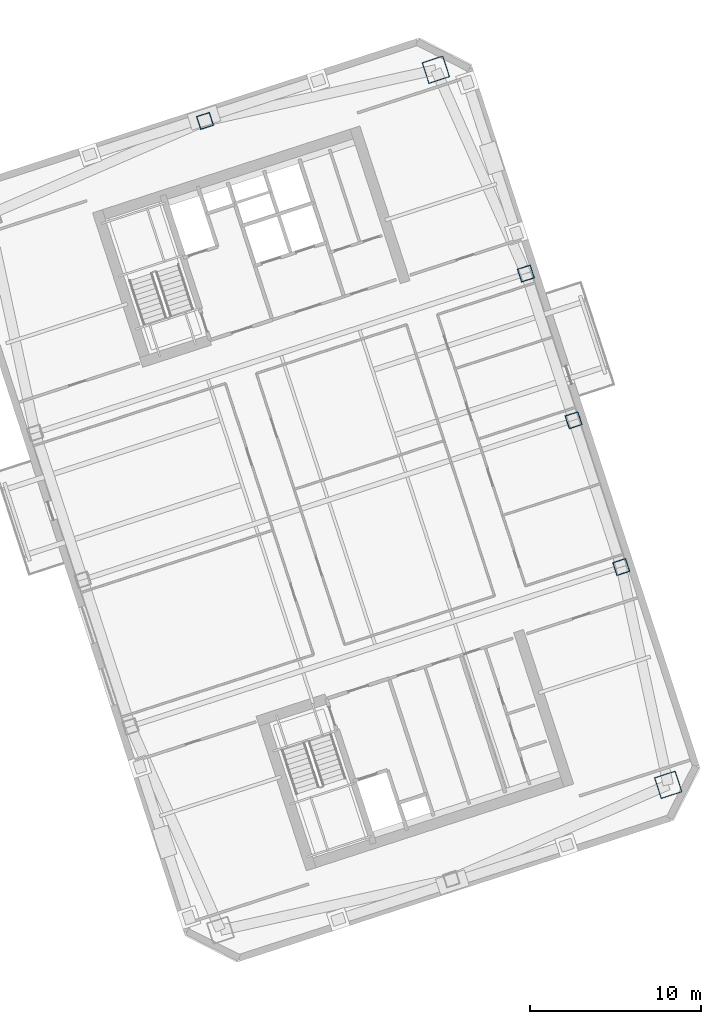
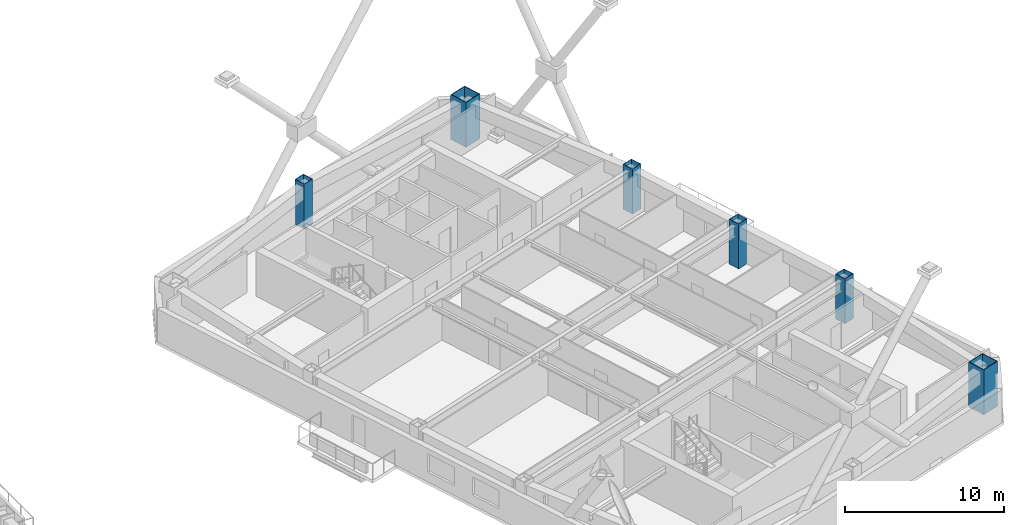
# One storey, part 2 of 17: 6 columns.
"""IFC4 building model written with IfcOpenShell, lengths in metres."""

import ifcopenshell
import ifcopenshell.guid

model = None  # the IFC model being written
_history = None  # IfcOwnerHistory: only IFC2X3 demands one
_inside = {}  # id of a spatial element -> (the spatial element, [elements in it])
_under = {}  # id of a project, library or spatial element -> (it, [spatial elements below it])
_declared = {}  # id of a project -> (the project, [libraries it declares])
_typed = {}  # id of a type object -> (the type object, [elements of that type])
_made_of = {}  # id of a material, layer set ... -> (it, [elements and type objects made of it])


def new_model(schema):
    """Start an empty IFC model of exactly this schema.

    Asked for "IFC4X3", IfcOpenShell would pick the latest addendum, in which some entities
    have other attributes; the version numbers below select the first issue.
    IFC2X3 requires an IfcOwnerHistory on every rooted entity: one is made here for all.
    """
    global model, _history
    if schema == "IFC4X3":
        model = ifcopenshell.file(schema_version=(4, 3, 0, 0))
    else:
        model = ifcopenshell.file(schema=schema)
    _inside.clear()
    _under.clear()
    _declared.clear()
    _typed.clear()
    _made_of.clear()
    _history = None
    if model.schema == "IFC2X3":
        org = make("IfcOrganization", Name="unknown")
        user = make(
            "IfcPersonAndOrganization",
            ThePerson=make("IfcPerson", FamilyName="unknown"),
            TheOrganization=org,
        )
        app = make(
            "IfcApplication",
            ApplicationDeveloper=org,
            Version="unknown",
            ApplicationFullName="unknown",
            ApplicationIdentifier="unknown",
        )
        _history = make(
            "IfcOwnerHistory",
            OwningUser=user,
            OwningApplication=app,
            ChangeAction="ADDED",
            CreationDate=0,
        )
    return model


def make(cls, **values):
    """One entity of the class cls with the attributes given. An attribute that is None is left unset."""
    return model.create_entity(
        cls, **{name: value for name, value in values.items() if value is not None}
    )


def rooted(cls, **values):
    """An entity with a GlobalId (a new one), such as an element, a storey or a relation."""
    return make(cls, GlobalId=ifcopenshell.guid.new(), OwnerHistory=_history, **values)


def si_unit(unit_type, name, prefix=None):
    """IfcSIUnit, for example si_unit("LENGTHUNIT", "METRE", prefix="MILLI")."""
    return make("IfcSIUnit", UnitType=unit_type, Prefix=prefix, Name=name)


def assignment(units):
    """IfcUnitAssignment: the units of a project."""
    return None if units is None else make("IfcUnitAssignment", Units=units)


def point(xyz):
    """IfcCartesianPoint."""
    return None if xyz is None else make("IfcCartesianPoint", Coordinates=xyz)


def direction(xyz):
    """IfcDirection."""
    return None if xyz is None else make("IfcDirection", DirectionRatios=xyz)


def frame(location, z_axis=None, x_axis=None):
    """IfcAxis2Placement3D, a coordinate frame: its origin and axes. An axis left out is left unset."""
    return make(
        "IfcAxis2Placement3D",
        Location=point(location),
        Axis=direction(z_axis),
        RefDirection=direction(x_axis),
    )


def frame_2d(location, x_axis=None):
    """IfcAxis2Placement2D, a coordinate frame in the plane: its origin and x axis."""
    return make(
        "IfcAxis2Placement2D", Location=point(location), RefDirection=direction(x_axis)
    )


def origin():
    """The frame at (0, 0, 0) with its axes left unset."""
    return frame((0.0, 0.0, 0.0))


def origin_2d():
    """The frame at (0, 0) in the plane with its x axis left unset."""
    return frame_2d((0.0, 0.0))


def place(relative_to, where):
    """IfcLocalPlacement: puts the frame where relative to a parent placement (None: the world)."""
    return make(
        "IfcLocalPlacement", PlacementRelTo=relative_to, RelativePlacement=where
    )


def context(
    kind, dimensions, precision=None, world=None, true_north=None, identifier=None
):
    """IfcGeometricRepresentationContext, for example the 3D "Model" context."""
    return make(
        "IfcGeometricRepresentationContext",
        ContextIdentifier=identifier,
        ContextType=kind,
        CoordinateSpaceDimension=dimensions,
        Precision=precision,
        WorldCoordinateSystem=world,
        TrueNorth=true_north,
    )


def subcontext(parent, identifier, kind, view, scale=None):
    """IfcGeometricRepresentationSubContext, for example "Body" below "Model"."""
    return make(
        "IfcGeometricRepresentationSubContext",
        ContextIdentifier=identifier,
        ContextType=kind,
        ParentContext=parent,
        TargetScale=scale,
        TargetView=view,
    )


def project(units=None, contexts=None):
    """IfcProject with its units and contexts."""
    return rooted(
        "IfcProject",
        Name="project",
        RepresentationContexts=contexts,
        UnitsInContext=assignment(units),
    )


def spatial(cls, under=None, at=None, **own):
    """A site, building, storey or space (cls), placed at a placement, below another one or the project."""
    s = rooted(cls, ObjectPlacement=at, **own)
    if under is not None:
        _under.setdefault(under.id(), (under, []))[1].append(s)
    return s


def profile(cls, at=None, kind="AREA", **sizes):
    """A parametric profile (cls). Its sizes go by their IFC names, for example OverallWidth=200.0."""
    return make(cls, ProfileType=kind, Position=at, **sizes)


def hollow_rectangle(**sizes):
    """IfcRectangleHollowProfileDef."""
    return profile("IfcRectangleHollowProfileDef", **sizes)


def extrude(swept, where, along, depth):
    """IfcExtrudedAreaSolid: the profile swept, set in the frame where, extruded along a direction by depth."""
    return make(
        "IfcExtrudedAreaSolid",
        SweptArea=swept,
        Position=where,
        ExtrudedDirection=direction(along),
        Depth=depth,
    )


def shape(context_of_items, identifier, shape_type, items):
    """IfcShapeRepresentation: the items that make up one representation, for example the "Body"."""
    return make(
        "IfcShapeRepresentation",
        ContextOfItems=context_of_items,
        RepresentationIdentifier=identifier,
        RepresentationType=shape_type,
        Items=items,
    )


def material(Name=None, Category=None):
    """IfcMaterial."""
    return make("IfcMaterial", Name=Name, Category=Category)


def material_profile(
    of_material, cross_section, Name=None, Category=None, Priority=None
):
    """IfcMaterialProfile: a cross section and its material."""
    return make(
        "IfcMaterialProfile",
        Name=Name,
        Material=of_material,
        Profile=cross_section,
        Priority=Priority,
        Category=Category,
    )


def profile_set(profiles, Name=None, composite=None):
    """IfcMaterialProfileSet."""
    return make(
        "IfcMaterialProfileSet",
        Name=Name,
        MaterialProfiles=profiles,
        CompositeProfile=composite,
    )


def made_of(thing, what):
    """Note that an element or type object is made of a material, layer set ...; save() writes the relation."""
    if what is not None:
        _made_of.setdefault(what.id(), (what, []))[1].append(thing)
    return thing


def type_object(cls, material=None, **own):
    """A type object (cls), such as IfcWallType, which elements share."""
    return made_of(rooted(cls, **own), material)


def element(
    cls,
    number,
    at=None,
    inside=None,
    cuts=None,
    type_object=None,
    material=None,
    context=None,
    identifier="Body",
    shape_type=None,
    held_by="IfcProductDefinitionShape",
    body=None,
    shapes=None,
    **own,
):
    """One element of the class cls, such as IfcWall. Its Tag is "e" and its number.

    at: its placement. inside: the storey or other place that contains it. cuts: it is an
    opening in that element (IfcRelVoidsElement). A single representation is given by context,
    identifier, shape_type and body (its items); several are given by shapes. held_by: the class
    of the entity that holds the representations. save() writes the other relations.
    """
    e = rooted(cls, Tag="e%d" % number, ObjectPlacement=at, **own)
    if body is not None:
        shapes = [shape(context, identifier, shape_type, body)]
    if shapes is not None:
        e.Representation = make(held_by, Representations=shapes)
    if inside is not None:
        _inside.setdefault(inside.id(), (inside, []))[1].append(e)
    if cuts is not None:
        rooted(
            "IfcRelVoidsElement", RelatingBuildingElement=cuts, RelatedOpeningElement=e
        )
    if type_object is not None:
        _typed.setdefault(type_object.id(), (type_object, []))[1].append(e)
    return made_of(e, material)


def aggregate(whole, parts):
    """IfcRelAggregates: a whole, such as a stair, and the parts it consists of."""
    return rooted("IfcRelAggregates", RelatingObject=whole, RelatedObjects=parts)


def save(model, path):
    """Write the relations noted so far, then the file.

    IfcRelAggregates (storeys below a building ...), IfcRelContainedInSpatialStructure (elements
    in a storey), IfcRelDefinesByType, IfcRelAssociatesMaterial and IfcRelDeclares: one each for
    every whole, place, type object, material and project.
    """
    for whole, parts in _under.values():
        aggregate(whole, parts)
    for where, things in _inside.values():
        rooted(
            "IfcRelContainedInSpatialStructure",
            RelatedElements=things,
            RelatingStructure=where,
        )
    for kind, things in _typed.values():
        rooted("IfcRelDefinesByType", RelatedObjects=things, RelatingType=kind)
    for what, things in _made_of.values():
        rooted("IfcRelAssociatesMaterial", RelatedObjects=things, RelatingMaterial=what)
    for by, libraries in _declared.values():
        rooted("IfcRelDeclares", RelatingContext=by, RelatedDefinitions=libraries)
    model.write(path)


model = new_model("IFC4")

# Units and contexts
model_context = context("Model", 3, precision=1e-05, world=origin(), true_north=direction((0.0, 1.0)))
body_context = subcontext(model_context, "Body", "Model", "MODEL_VIEW")
ifc_project = project(units=[si_unit("LENGTHUNIT", "METRE"), si_unit("AREAUNIT", "SQUARE_METRE"), si_unit("VOLUMEUNIT", "CUBIC_METRE"), si_unit("PLANEANGLEUNIT", "RADIAN"), si_unit("MASSUNIT", "GRAM", prefix="KILO")], contexts=[model_context])

# Site, building, storey
site_placement = place(None, origin())
site = spatial("IfcSite", under=ifc_project, at=site_placement, CompositionType="ELEMENT")
building_placement = place(site_placement, origin())
building = spatial("IfcBuilding", under=site, at=building_placement, Name="Qiaolan Cultural Towers", CompositionType="ELEMENT")
storey_placement = place(building_placement, frame((0.0, 0.0, 134.550048828125)))
storey = spatial("IfcBuildingStorey", under=building, at=storey_placement, Name="L35", CompositionType="ELEMENT", Elevation=134.550048828125)

# Columns
ifc_material_1 = material(Name="Steel Q390GJB", Category="steel")
ifc_material_profile_1 = material_profile(ifc_material_1, hollow_rectangle(XDim=1.300048828125, YDim=1.300048828125, WallThickness=0.044921875, at=origin_2d()), Name="BOX1300x1300x45")
ifc_profile_set_1 = profile_set([ifc_material_profile_1], Name="Steel Q390GJB")
column_type_1 = type_object("IfcColumnType", Name="COL-BOX1300x1300x45", PredefinedType="COLUMN", material=ifc_profile_set_1)
for number, where, z_axis, x_axis, name in (
    (1, (109.834716796875, 17.38623046875, 0.0), (0.0, 0.0, 1.0), (0.951056516295, 0.309016994375, 0.0), "L35 T2 Perimeter Column MC-SE"),
    (2, (96.28125, 59.099365234375, 0.0), (0.0, 0.0, 1.0), (0.951056516295, 0.309016994375, 0.0), "L35 T2 Perimeter Column MC-NE"),
):
    element("IfcColumn", number, at=place(storey_placement, frame(where, z_axis=z_axis, x_axis=x_axis)), inside=storey, type_object=column_type_1, Name=name, PredefinedType="COLUMN", context=body_context, shape_type="SweptSolid", body=[
        extrude(hollow_rectangle(XDim=1.300048828125, YDim=1.300048828125, WallThickness=0.044921875, at=origin_2d()), origin(), (0.0, 0.0, 1.0), 3.450927734375),
    ])
ifc_material_2 = material(Name="Steel Q355B", Category="steel")
ifc_material_profile_2 = material_profile(ifc_material_2, hollow_rectangle(XDim=0.800048828125, YDim=0.800048828125, WallThickness=0.028076171875, at=origin_2d()), Name="BOX800x800x28")
ifc_profile_set_2 = profile_set([ifc_material_profile_2], Name="Steel Q355B")
column_type_2 = type_object("IfcColumnType", Name="COL-BOX800x800x28", PredefinedType="COLUMN", material=ifc_profile_set_2)
for number, where, z_axis, x_axis, name in (
    (3, (107.094482421875, 30.09130859375, 0.0), (0.0, 0.0, 1.0), (0.951056516295, 0.309016994375, 0.0), "L35 T2 Perimeter Column PC-E1"),
    (4, (104.3134765625, 38.650634765625, 0.0), (0.0, 0.0, 1.0), (0.951056516295, 0.309016994375, 0.0), "L35 T2 Perimeter Column PC-E2"),
    (5, (101.5322265625, 47.210205078125, 0.0), (0.0, 0.0, 1.0), (0.951056516295, 0.309016994375, 0.0), "L35 T2 Perimeter Column PC-E3"),
    (6, (82.8154296875, 56.112060546875, 0.0), (0.0, 0.0, 1.0), (0.951056516295, 0.309016994375, 0.0), "L35 T2 Perimeter Column PC-N0"),
):
    element("IfcColumn", number, at=place(storey_placement, frame(where, z_axis=z_axis, x_axis=x_axis)), inside=storey, type_object=column_type_2, Name=name, PredefinedType="COLUMN", context=body_context, shape_type="SweptSolid", body=[
        extrude(hollow_rectangle(XDim=0.800048828125, YDim=0.800048828125, WallThickness=0.028076171875, at=origin_2d()), origin(), (0.0, 0.0, 1.0), 3.450927734375),
    ])

save(model, "model.ifc")
